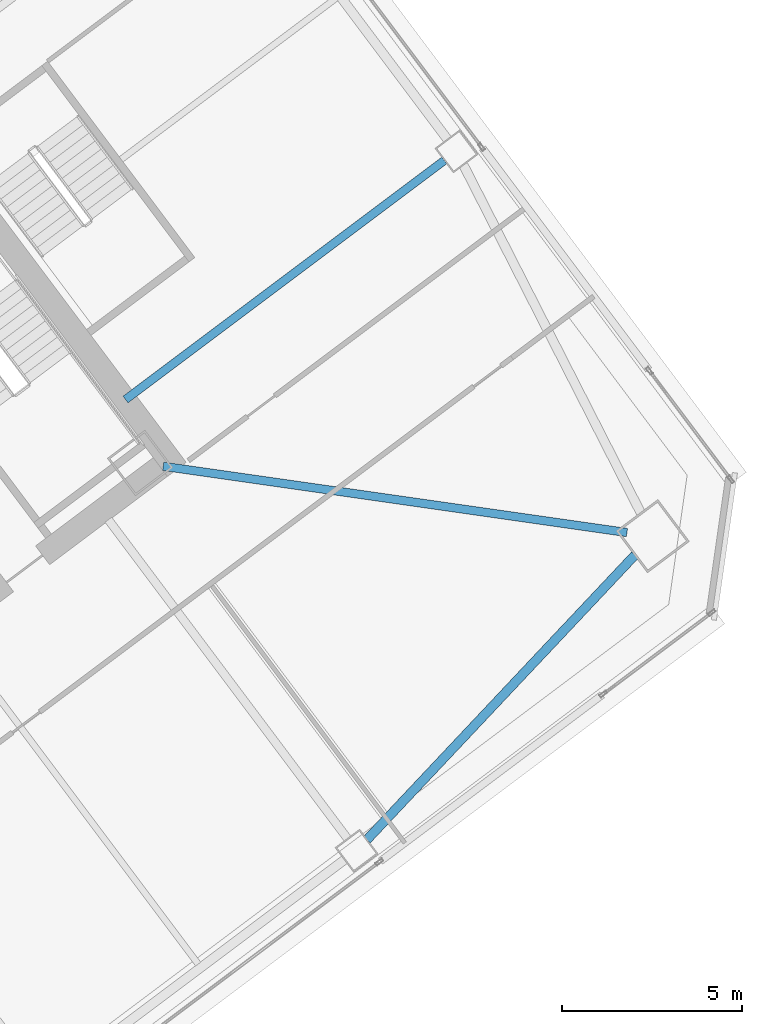
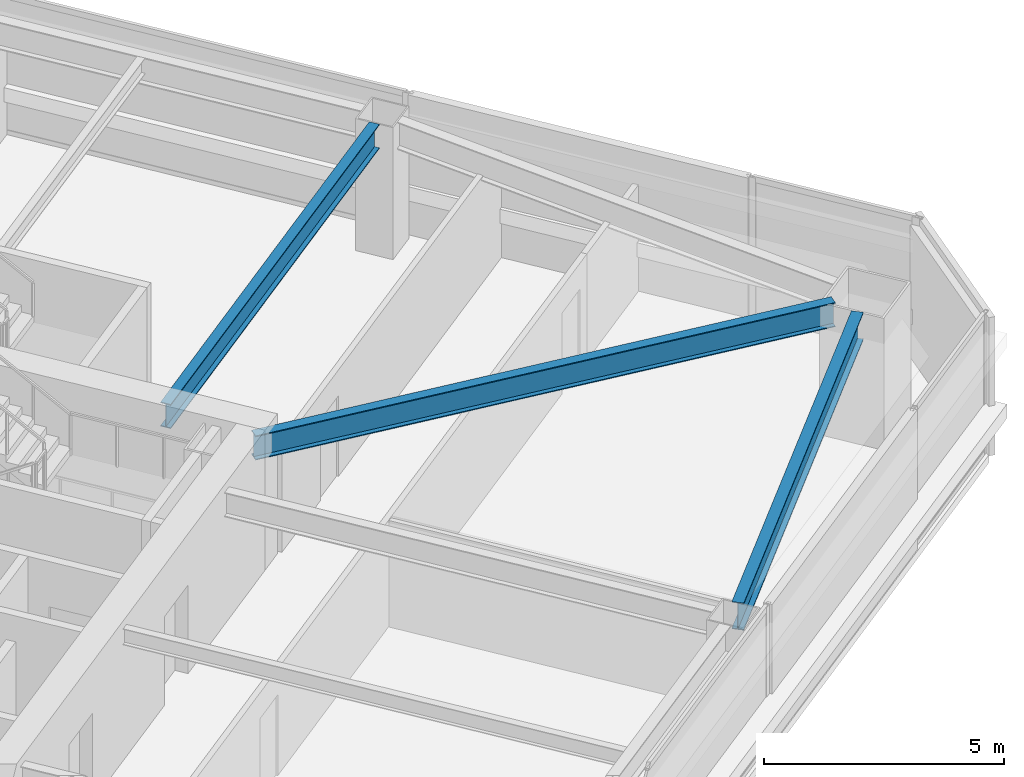
# One storey, part 23 of 44: 3 beams.
"""IFC4 building model written with IfcOpenShell, lengths in metres."""

from ifc_helpers import new_model, si_unit, direction, frame, origin, origin_2d, place, context, subcontext, project, spatial, i_section, extrude, material, material_profile, profile_set, type_object, element, save


model = new_model("IFC4")

# Units and contexts
model_context = context("Model", 3, precision=1e-05, world=origin(), true_north=direction((0.0, 1.0)))
body_context = subcontext(model_context, "Body", "Model", "MODEL_VIEW")
ifc_project = project(units=[si_unit("LENGTHUNIT", "METRE"), si_unit("AREAUNIT", "SQUARE_METRE"), si_unit("VOLUMEUNIT", "CUBIC_METRE"), si_unit("PLANEANGLEUNIT", "RADIAN"), si_unit("MASSUNIT", "GRAM", prefix="KILO")], contexts=[model_context])

# Site, building, storey
site_placement = place(None, origin())
site = spatial("IfcSite", under=ifc_project, at=site_placement, CompositionType="ELEMENT")
building_placement = place(site_placement, origin())
building = spatial("IfcBuilding", under=site, at=building_placement, Name="Tashvorn Skyway Center", CompositionType="ELEMENT")
storey_placement = place(building_placement, frame((0.0, 0.0, 84.949951171875)))
storey = spatial("IfcBuildingStorey", under=building, at=storey_placement, Name="L22", CompositionType="ELEMENT", Elevation=84.949951171875)

# Beams
ifc_material = material(Name="Steel ASTM A992 Grade 50", Category="steel")
ifc_material_profile_1 = material_profile(ifc_material, i_section(OverallWidth=0.22998046875, OverallDepth=0.616943359375, WebThickness=0.01318359375, FlangeThickness=0.022216796875, at=origin_2d()), Name="W24X94")
ifc_profile_set_1 = profile_set([ifc_material_profile_1], Name="Steel ASTM A992 Grade 50")
beam_type_1 = type_object("IfcBeamType", Name="BM-BEAM-W24X94", PredefinedType="BEAM", material=ifc_profile_set_1)
beam_1_placement = place(storey_placement, frame((137.3671875, 28.661865234375, 3.04150390625), z_axis=(-0.989949869571, 0.141418724841, 0.0), x_axis=(-0.141418724841, -0.989949869571, 0.0)))
element("IfcBeam", 1, at=beam_1_placement, inside=storey, type_object=beam_type_1, Name="Tower 2 L22 Primary Floor Girder MC-SE", PredefinedType="BEAM", context=body_context, shape_type="SweptSolid", body=[
    extrude(i_section(OverallWidth=0.22998046875, OverallDepth=0.616943359375, WebThickness=0.01318359375, FlangeThickness=0.022216796875, at=origin_2d()), origin(), (0.0, 0.0, 1.0), 12.9892578125),
])
beam_2_placement = place(storey_placement, frame((132.303955078125, 38.97802734375, 3.04150390625), z_axis=(-0.799989394625, -0.60001414024, 0.0), x_axis=(0.60001414024, -0.799989394625, 0.0)))
element("IfcBeam", 2, at=beam_2_placement, inside=storey, type_object=beam_type_1, Name="Tower 2 L22 Primary Floor Girder FC-E1", PredefinedType="BEAM", context=body_context, shape_type="SweptSolid", body=[
    extrude(i_section(OverallWidth=0.22998046875, OverallDepth=0.616943359375, WebThickness=0.01318359375, FlangeThickness=0.022216796875, at=origin_2d()), origin(), (0.0, 0.0, 1.0), 11.050048828125),
])
ifc_material_profile_2 = material_profile(ifc_material, i_section(OverallWidth=0.256103515625, OverallDepth=0.693115234375, WebThickness=0.014404296875, FlangeThickness=0.023681640625, at=origin_2d()), Name="W27X114")
ifc_profile_set_2 = profile_set([ifc_material_profile_2], Name="Steel ASTM A992 Grade 50")
beam_type_2 = type_object("IfcBeamType", Name="BM-SPANDREL-W27X114", PredefinedType="SPANDREL", material=ifc_profile_set_2)
beam_3_placement = place(storey_placement, frame((130.157958984375, 20.145751953125, 3.003662109375), z_axis=(0.685484857238, 0.728086883893, 0.0), x_axis=(-0.728086883893, 0.685484857238, 0.0)))
element("IfcBeam", 3, at=beam_3_placement, inside=storey, type_object=beam_type_2, Name="Tower 2 L22 Spandrel Beam 03", PredefinedType="SPANDREL", context=body_context, shape_type="SweptSolid", body=[
    extrude(i_section(OverallWidth=0.256103515625, OverallDepth=0.693115234375, WebThickness=0.014404296875, FlangeThickness=0.023681640625, at=origin_2d()), origin(), (0.0, 0.0, 1.0), 10.8369140625),
])

save(model, "model.ifc")
